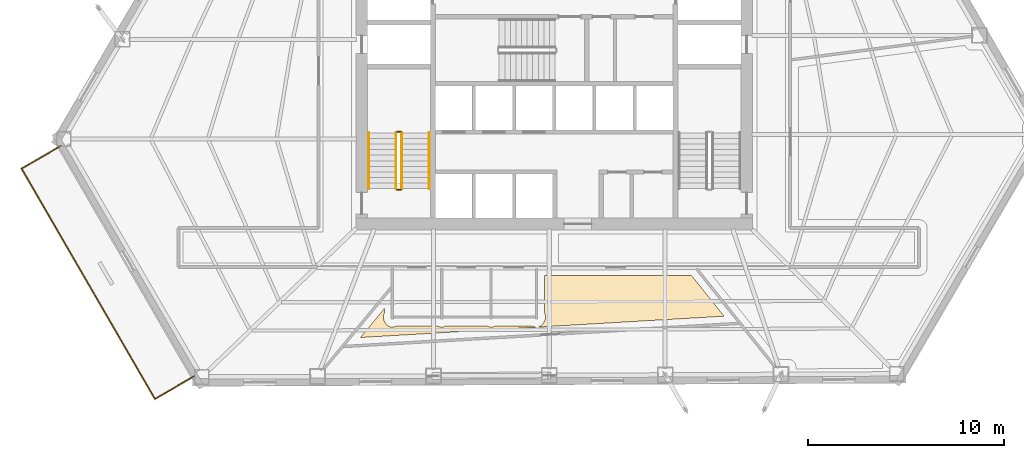
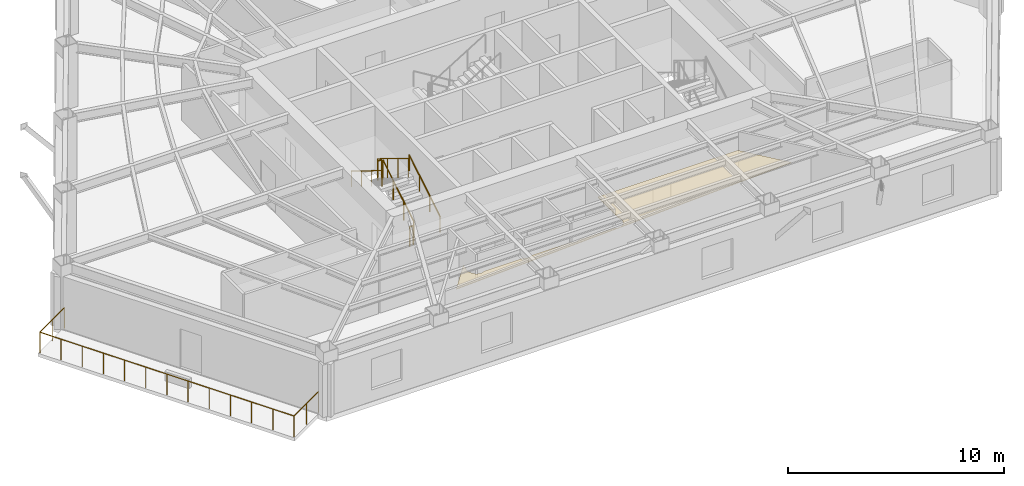
# One storey, part 12 of 15: 9 railings, 1 covering.
"""IFC4 building model written with IfcOpenShell, lengths in metres."""

import ifcopenshell
import ifcopenshell.guid

model = None  # the IFC model being written
_history = None  # IfcOwnerHistory: only IFC2X3 demands one
_inside = {}  # id of a spatial element -> (the spatial element, [elements in it])
_under = {}  # id of a project, library or spatial element -> (it, [spatial elements below it])
_declared = {}  # id of a project -> (the project, [libraries it declares])
_typed = {}  # id of a type object -> (the type object, [elements of that type])
_made_of = {}  # id of a material, layer set ... -> (it, [elements and type objects made of it])


def new_model(schema):
    """Start an empty IFC model of exactly this schema.

    Asked for "IFC4X3", IfcOpenShell would pick the latest addendum, in which some entities
    have other attributes; the version numbers below select the first issue.
    IFC2X3 requires an IfcOwnerHistory on every rooted entity: one is made here for all.
    """
    global model, _history
    if schema == "IFC4X3":
        model = ifcopenshell.file(schema_version=(4, 3, 0, 0))
    else:
        model = ifcopenshell.file(schema=schema)
    _inside.clear()
    _under.clear()
    _declared.clear()
    _typed.clear()
    _made_of.clear()
    _history = None
    if model.schema == "IFC2X3":
        org = make("IfcOrganization", Name="unknown")
        user = make(
            "IfcPersonAndOrganization",
            ThePerson=make("IfcPerson", FamilyName="unknown"),
            TheOrganization=org,
        )
        app = make(
            "IfcApplication",
            ApplicationDeveloper=org,
            Version="unknown",
            ApplicationFullName="unknown",
            ApplicationIdentifier="unknown",
        )
        _history = make(
            "IfcOwnerHistory",
            OwningUser=user,
            OwningApplication=app,
            ChangeAction="ADDED",
            CreationDate=0,
        )
    return model


def make(cls, **values):
    """One entity of the class cls with the attributes given. An attribute that is None is left unset."""
    return model.create_entity(
        cls, **{name: value for name, value in values.items() if value is not None}
    )


def rooted(cls, **values):
    """An entity with a GlobalId (a new one), such as an element, a storey or a relation."""
    return make(cls, GlobalId=ifcopenshell.guid.new(), OwnerHistory=_history, **values)


def si_unit(unit_type, name, prefix=None):
    """IfcSIUnit, for example si_unit("LENGTHUNIT", "METRE", prefix="MILLI")."""
    return make("IfcSIUnit", UnitType=unit_type, Prefix=prefix, Name=name)


def assignment(units):
    """IfcUnitAssignment: the units of a project."""
    return None if units is None else make("IfcUnitAssignment", Units=units)


def point(xyz):
    """IfcCartesianPoint."""
    return None if xyz is None else make("IfcCartesianPoint", Coordinates=xyz)


def direction(xyz):
    """IfcDirection."""
    return None if xyz is None else make("IfcDirection", DirectionRatios=xyz)


def frame(location, z_axis=None, x_axis=None):
    """IfcAxis2Placement3D, a coordinate frame: its origin and axes. An axis left out is left unset."""
    return make(
        "IfcAxis2Placement3D",
        Location=point(location),
        Axis=direction(z_axis),
        RefDirection=direction(x_axis),
    )


def frame_2d(location, x_axis=None):
    """IfcAxis2Placement2D, a coordinate frame in the plane: its origin and x axis."""
    return make(
        "IfcAxis2Placement2D", Location=point(location), RefDirection=direction(x_axis)
    )


def origin():
    """The frame at (0, 0, 0) with its axes left unset."""
    return frame((0.0, 0.0, 0.0))


def origin_2d():
    """The frame at (0, 0) in the plane with its x axis left unset."""
    return frame_2d((0.0, 0.0))


def place(relative_to, where):
    """IfcLocalPlacement: puts the frame where relative to a parent placement (None: the world)."""
    return make(
        "IfcLocalPlacement", PlacementRelTo=relative_to, RelativePlacement=where
    )


def context(
    kind, dimensions, precision=None, world=None, true_north=None, identifier=None
):
    """IfcGeometricRepresentationContext, for example the 3D "Model" context."""
    return make(
        "IfcGeometricRepresentationContext",
        ContextIdentifier=identifier,
        ContextType=kind,
        CoordinateSpaceDimension=dimensions,
        Precision=precision,
        WorldCoordinateSystem=world,
        TrueNorth=true_north,
    )


def subcontext(parent, identifier, kind, view, scale=None):
    """IfcGeometricRepresentationSubContext, for example "Body" below "Model"."""
    return make(
        "IfcGeometricRepresentationSubContext",
        ContextIdentifier=identifier,
        ContextType=kind,
        ParentContext=parent,
        TargetScale=scale,
        TargetView=view,
    )


def project(units=None, contexts=None):
    """IfcProject with its units and contexts."""
    return rooted(
        "IfcProject",
        Name="project",
        RepresentationContexts=contexts,
        UnitsInContext=assignment(units),
    )


def spatial(cls, under=None, at=None, **own):
    """A site, building, storey or space (cls), placed at a placement, below another one or the project."""
    s = rooted(cls, ObjectPlacement=at, **own)
    if under is not None:
        _under.setdefault(under.id(), (under, []))[1].append(s)
    return s


def polyline(points):
    """IfcPolyline through the points."""
    return make("IfcPolyline", Points=[point(p) for p in points])


def profile(cls, at=None, kind="AREA", **sizes):
    """A parametric profile (cls). Its sizes go by their IFC names, for example OverallWidth=200.0."""
    return make(cls, ProfileType=kind, Position=at, **sizes)


def circle(**sizes):
    """IfcCircleProfileDef."""
    return profile("IfcCircleProfileDef", **sizes)


def outline(outer, holes=None, kind="AREA"):
    """IfcArbitraryClosedProfileDef: a profile drawn as a closed curve; with holes, ...WithVoids."""
    if holes is None:
        return make("IfcArbitraryClosedProfileDef", ProfileType=kind, OuterCurve=outer)
    return make(
        "IfcArbitraryProfileDefWithVoids",
        ProfileType=kind,
        OuterCurve=outer,
        InnerCurves=holes,
    )


def extrude(swept, where, along, depth):
    """IfcExtrudedAreaSolid: the profile swept, set in the frame where, extruded along a direction by depth."""
    return make(
        "IfcExtrudedAreaSolid",
        SweptArea=swept,
        Position=where,
        ExtrudedDirection=direction(along),
        Depth=depth,
    )


def shape(context_of_items, identifier, shape_type, items):
    """IfcShapeRepresentation: the items that make up one representation, for example the "Body"."""
    return make(
        "IfcShapeRepresentation",
        ContextOfItems=context_of_items,
        RepresentationIdentifier=identifier,
        RepresentationType=shape_type,
        Items=items,
    )


def material(Name=None, Category=None):
    """IfcMaterial."""
    return make("IfcMaterial", Name=Name, Category=Category)


def layer(
    of_material, thickness, ventilated=None, Name=None, Category=None, Priority=None
):
    """IfcMaterialLayer: one layer of a wall or slab, of a material (None: an air gap)."""
    return make(
        "IfcMaterialLayer",
        Material=of_material,
        LayerThickness=thickness,
        IsVentilated=ventilated,
        Name=Name,
        Category=Category,
        Priority=Priority,
    )


def layer_set(layers, Name=None):
    """IfcMaterialLayerSet."""
    return make("IfcMaterialLayerSet", MaterialLayers=layers, LayerSetName=Name)


def made_of(thing, what):
    """Note that an element or type object is made of a material, layer set ...; save() writes the relation."""
    if what is not None:
        _made_of.setdefault(what.id(), (what, []))[1].append(thing)
    return thing


def type_object(cls, material=None, **own):
    """A type object (cls), such as IfcWallType, which elements share."""
    return made_of(rooted(cls, **own), material)


def element(
    cls,
    number,
    at=None,
    inside=None,
    cuts=None,
    type_object=None,
    material=None,
    context=None,
    identifier="Body",
    shape_type=None,
    held_by="IfcProductDefinitionShape",
    body=None,
    shapes=None,
    **own,
):
    """One element of the class cls, such as IfcWall. Its Tag is "e" and its number.

    at: its placement. inside: the storey or other place that contains it. cuts: it is an
    opening in that element (IfcRelVoidsElement). A single representation is given by context,
    identifier, shape_type and body (its items); several are given by shapes. held_by: the class
    of the entity that holds the representations. save() writes the other relations.
    """
    e = rooted(cls, Tag="e%d" % number, ObjectPlacement=at, **own)
    if body is not None:
        shapes = [shape(context, identifier, shape_type, body)]
    if shapes is not None:
        e.Representation = make(held_by, Representations=shapes)
    if inside is not None:
        _inside.setdefault(inside.id(), (inside, []))[1].append(e)
    if cuts is not None:
        rooted(
            "IfcRelVoidsElement", RelatingBuildingElement=cuts, RelatedOpeningElement=e
        )
    if type_object is not None:
        _typed.setdefault(type_object.id(), (type_object, []))[1].append(e)
    return made_of(e, material)


def aggregate(whole, parts):
    """IfcRelAggregates: a whole, such as a stair, and the parts it consists of."""
    return rooted("IfcRelAggregates", RelatingObject=whole, RelatedObjects=parts)


def save(model, path):
    """Write the relations noted so far, then the file.

    IfcRelAggregates (storeys below a building ...), IfcRelContainedInSpatialStructure (elements
    in a storey), IfcRelDefinesByType, IfcRelAssociatesMaterial and IfcRelDeclares: one each for
    every whole, place, type object, material and project.
    """
    for whole, parts in _under.values():
        aggregate(whole, parts)
    for where, things in _inside.values():
        rooted(
            "IfcRelContainedInSpatialStructure",
            RelatedElements=things,
            RelatingStructure=where,
        )
    for kind, things in _typed.values():
        rooted("IfcRelDefinesByType", RelatedObjects=things, RelatingType=kind)
    for what, things in _made_of.values():
        rooted("IfcRelAssociatesMaterial", RelatedObjects=things, RelatingMaterial=what)
    for by, libraries in _declared.values():
        rooted("IfcRelDeclares", RelatingContext=by, RelatedDefinitions=libraries)
    model.write(path)


model = new_model("IFC4")

# Units and contexts
model_context = context("Model", 3, precision=1e-05, world=origin(), true_north=direction((0.0, 1.0)))
body_context = subcontext(model_context, "Body", "Model", "MODEL_VIEW")
ifc_project = project(units=[si_unit("LENGTHUNIT", "METRE"), si_unit("AREAUNIT", "SQUARE_METRE"), si_unit("VOLUMEUNIT", "CUBIC_METRE"), si_unit("PLANEANGLEUNIT", "RADIAN"), si_unit("MASSUNIT", "GRAM", prefix="KILO")], contexts=[model_context])

# Site, building, storey
site_placement = place(None, origin())
site = spatial("IfcSite", under=ifc_project, at=site_placement, CompositionType="ELEMENT")
building_placement = place(site_placement, origin())
building = spatial("IfcBuilding", under=site, at=building_placement, Name="Kavelnor Concourse Tower", CompositionType="ELEMENT")
storey_placement = place(building_placement, frame((0.0, 0.0, 67.60009765625)))
storey = spatial("IfcBuildingStorey", under=building, at=storey_placement, Name="L17", CompositionType="ELEMENT", Elevation=67.60009765625)

# Covering
ifc_material_1 = material(Name="Mineral fibre acoustic ceiling tile")
ifc_layer = layer(ifc_material_1, 0.0400390625, Name="Mineral fibre acoustic ceiling tile")
ifc_layer_set = layer_set([ifc_layer], Name="Mineral fibre acoustic ceiling tile")
covering_type = type_object("IfcCoveringType", Name="COV-CEILING-ACOUSTIC", PredefinedType="CEILING", material=ifc_layer_set)
covering_placement = place(storey_placement, frame((0.0, 0.0, 2.75)))
element("IfcCovering", 1, at=covering_placement, inside=storey, type_object=covering_type, Name="L17 Suspended Acoustic Ceiling", PredefinedType="CEILING", context=body_context, shape_type="SweptSolid", body=[
    extrude(outline(polyline([(29.33251953125, 4.7412109375), (29.3154296875, 4.705078125), (29.302001953125, 4.667724609375), (29.29248046875, 4.629150390625), (29.28662109375, 4.589599609375), (29.28466796875, 4.550048828125), (29.28662109375, 4.51025390625), (29.29248046875, 4.470947265625), (29.302001953125, 4.432373046875), (29.3154296875, 4.39501953125), (29.33251953125, 4.35888671875), (29.352783203125, 4.32470703125), (29.3564453125, 4.320068359375), (29.365478515625, 4.294921875), (29.382568359375, 4.2587890625), (29.40283203125, 4.224853515625), (29.426513671875, 4.19287109375), (29.453369140625, 4.163330078125), (29.48291015625, 4.13671875), (29.514892578125, 4.11279296875), (29.548828125, 4.092529296875), (29.5849609375, 4.075439453125), (29.622314453125, 4.06201171875), (29.660888671875, 4.052490234375), (29.7001953125, 4.04638671875), (29.739990234375, 4.044677734375), (29.77978515625, 4.04638671875), (29.819091796875, 4.052490234375), (29.857666015625, 4.06201171875), (29.89501953125, 4.075439453125), (29.93115234375, 4.092529296875), (29.96044921875, 4.110107421875), (32.03955078125, 4.110107421875), (32.06884765625, 4.092529296875), (32.10498046875, 4.075439453125), (32.142333984375, 4.06201171875), (32.180908203125, 4.052490234375), (32.22021484375, 4.04638671875), (32.260009765625, 4.044677734375), (32.2998046875, 4.04638671875), (32.339111328125, 4.052490234375), (32.377685546875, 4.06201171875), (32.4150390625, 4.075439453125), (32.451171875, 4.092529296875), (32.48046875, 4.110107421875), (34.5595703125, 4.110107421875), (34.5888671875, 4.092529296875), (34.625, 4.075439453125), (34.662353515625, 4.06201171875), (34.700927734375, 4.052490234375), (34.740234375, 4.04638671875), (34.780029296875, 4.044677734375), (34.819580078125, 4.04638671875), (34.859130859375, 4.052490234375), (34.897705078125, 4.06201171875), (34.93505859375, 4.075439453125), (34.97119140625, 4.092529296875), (35.00048828125, 4.110107421875), (36.879638671875, 4.110107421875), (36.908935546875, 4.092529296875), (36.94482421875, 4.075439453125), (36.982421875, 4.06201171875), (37.02099609375, 4.052490234375), (37.060302734375, 4.04638671875), (37.10009765625, 4.044677734375), (37.1396484375, 4.04638671875), (37.17919921875, 4.052490234375), (37.2177734375, 4.06201171875), (37.255126953125, 4.075439453125), (37.291015625, 4.092529296875), (37.3251953125, 4.11279296875), (37.357177734375, 4.13671875), (37.38671875, 4.163330078125), (37.413330078125, 4.19287109375), (37.43701171875, 4.224853515625), (37.45751953125, 4.2587890625), (37.474609375, 4.294921875), (37.4833984375, 4.320068359375), (37.487060546875, 4.32470703125), (37.507568359375, 4.35888671875), (37.524658203125, 4.39501953125), (37.5380859375, 4.432373046875), (37.547607421875, 4.470947265625), (37.553466796875, 4.51025390625), (37.555419921875, 4.550048828125), (37.553466796875, 4.589599609375), (37.547607421875, 4.629150390625), (37.5380859375, 4.667724609375), (37.524658203125, 4.705078125), (37.507568359375, 4.7412109375), (37.5048828125, 4.745361328125), (37.5048828125, 6.677490234375), (44.99609375, 6.677490234375), (46.657470703125, 4.59765625), (28.115234375, 3.51220703125), (29.3349609375, 4.985107421875), (29.3349609375, 4.745361328125), (29.33251953125, 4.7412109375)])), origin(), (0.0, 0.0, 1.0), 0.039794921875),
])

# Railings
ifc_material_2 = material(Name="Steel Grade 350", Category="steel")
railing_type_1 = type_object("IfcRailingType", Name="RLG-GUARD-1100", PredefinedType="GUARDRAIL", material=ifc_material_2)
railing_1_placement = place(storey_placement, frame((30.22998046875, 11.10009765625, 0.1748046875)))
element("IfcRailing", 2, at=railing_1_placement, inside=storey, type_object=railing_type_1, Name="L17 ST1 stair guard 1", PredefinedType="GUARDRAIL", context=body_context, shape_type="SweptSolid", body=[
    extrude(circle(Radius=0.02392578125, at=origin_2d()), frame((0.0, 0.0, 1.076171875), z_axis=(0.0, 0.852159232446, 0.523282564737), x_axis=(-1.0, 0.0, 0.0)), (0.0, 0.0, 1.0), 3.34423828125),
    extrude(circle(Radius=0.02099609375, at=origin_2d()), origin(), (0.0, 0.0, 1.0), 1.052001953125),
    extrude(circle(Radius=0.02099609375, at=origin_2d()), frame((0.0, 0.949951171875, 0.583251953125)), (0.0, 0.0, 1.0), 1.052001953125),
    extrude(circle(Radius=0.02099609375, at=origin_2d()), frame((0.0, 1.89990234375, 1.166748046875)), (0.0, 0.0, 1.0), 1.052001953125),
    extrude(circle(Radius=0.02099609375, at=origin_2d()), frame((0.0, 2.849853515625, 1.75)), (0.0, 0.0, 1.0), 1.052001953125),
])
railing_2_placement = place(storey_placement, frame((30.179931640625, 14.0, 1.9248046875)))
element("IfcRailing", 3, at=railing_2_placement, inside=storey, type_object=railing_type_1, Name="L17 ST1 stair guard 2", PredefinedType="GUARDRAIL", context=body_context, shape_type="SweptSolid", body=[
    extrude(circle(Radius=0.02392578125, at=origin_2d()), frame((0.0, 0.0, 1.076171875), z_axis=(-1.0, 0.0, 0.0), x_axis=(0.0, -1.0, 0.0)), (0.0, 0.0, 1.0), 0.199951171875),
    extrude(circle(Radius=0.02099609375, at=origin_2d()), origin(), (0.0, 0.0, 1.0), 1.052001953125),
    extrude(circle(Radius=0.02099609375, at=origin_2d()), frame((-0.199951171875, 0.0, 0.0)), (0.0, 0.0, 1.0), 1.052001953125),
])
railing_3_placement = place(storey_placement, frame((29.929931640625, 13.949951171875, 2.099853515625)))
element("IfcRailing", 4, at=railing_3_placement, inside=storey, type_object=railing_type_1, Name="L17 ST1 stair guard 3", PredefinedType="GUARDRAIL", context=body_context, shape_type="SweptSolid", body=[
    extrude(circle(Radius=0.02392578125, at=origin_2d()), frame((0.0, 0.0, 1.076171875), z_axis=(0.0, -0.852159232446, 0.523282564737), x_axis=(1.0, 0.0, 0.0)), (0.0, 0.0, 1.0), 3.34423828125),
    extrude(circle(Radius=0.02099609375, at=origin_2d()), origin(), (0.0, 0.0, 1.0), 1.052001953125),
    extrude(circle(Radius=0.02099609375, at=origin_2d()), frame((0.0, -0.949951171875, 0.583251953125)), (0.0, 0.0, 1.0), 1.052001953125),
    extrude(circle(Radius=0.02099609375, at=origin_2d()), frame((0.0, -1.89990234375, 1.166748046875)), (0.0, 0.0, 1.0), 1.052001953125),
    extrude(circle(Radius=0.02099609375, at=origin_2d()), frame((0.0, -2.849853515625, 1.75)), (0.0, 0.0, 1.0), 1.052001953125),
])
railing_4_placement = place(storey_placement, frame((30.179931640625, 11.050048828125, 0.0)))
element("IfcRailing", 5, at=railing_4_placement, inside=storey, type_object=railing_type_1, Name="L17 ST1 stair guard 4", PredefinedType="GUARDRAIL", context=body_context, shape_type="SweptSolid", body=[
    extrude(circle(Radius=0.02392578125, at=origin_2d()), frame((0.0, 0.0, 1.076171875), z_axis=(-1.0, 0.0, 0.0), x_axis=(0.0, -1.0, 0.0)), (0.0, 0.0, 1.0), 0.199951171875),
    extrude(circle(Radius=0.02099609375, at=origin_2d()), origin(), (0.0, 0.0, 1.0), 1.052001953125),
    extrude(circle(Radius=0.02099609375, at=origin_2d()), frame((-0.199951171875, 0.0, 0.0)), (0.0, 0.0, 1.0), 1.052001953125),
])
railing_type_2 = type_object("IfcRailingType", Name="RLG-HANDRAIL-900", PredefinedType="HANDRAIL", material=ifc_material_2)
railing_5_placement = place(storey_placement, frame((31.6298828125, 11.10009765625, 0.1748046875)))
element("IfcRailing", 6, at=railing_5_placement, inside=storey, type_object=railing_type_2, Name="L17 ST1 stair handrail 1", PredefinedType="HANDRAIL", context=body_context, shape_type="SweptSolid", body=[
    extrude(circle(Radius=0.02392578125, at=origin_2d()), frame((0.0, 0.0, 0.8759765625), z_axis=(0.0, 0.852159232446, 0.523282564737), x_axis=(-1.0, 0.0, 0.0)), (0.0, 0.0, 1.0), 3.34423828125),
    extrude(circle(Radius=0.02099609375, at=origin_2d()), origin(), (0.0, 0.0, 1.0), 0.851806640625),
    extrude(circle(Radius=0.02099609375, at=origin_2d()), frame((0.0, 0.949951171875, 0.583251953125)), (0.0, 0.0, 1.0), 0.851806640625),
    extrude(circle(Radius=0.02099609375, at=origin_2d()), frame((0.0, 1.89990234375, 1.166748046875)), (0.0, 0.0, 1.0), 0.851806640625),
    extrude(circle(Radius=0.02099609375, at=origin_2d()), frame((0.0, 2.849853515625, 1.75)), (0.0, 0.0, 1.0), 0.851806640625),
])
railing_6_placement = place(storey_placement, frame((28.530029296875, 13.949951171875, 2.099853515625)))
element("IfcRailing", 7, at=railing_6_placement, inside=storey, type_object=railing_type_2, Name="L17 ST1 stair handrail 2", PredefinedType="HANDRAIL", context=body_context, shape_type="SweptSolid", body=[
    extrude(circle(Radius=0.02392578125, at=origin_2d()), frame((0.0, 0.0, 0.8759765625), z_axis=(0.0, -0.852159232446, 0.523282564737), x_axis=(1.0, 0.0, 0.0)), (0.0, 0.0, 1.0), 3.34423828125),
    extrude(circle(Radius=0.02099609375, at=origin_2d()), origin(), (0.0, 0.0, 1.0), 0.851806640625),
    extrude(circle(Radius=0.02099609375, at=origin_2d()), frame((0.0, -0.949951171875, 0.583251953125)), (0.0, 0.0, 1.0), 0.851806640625),
    extrude(circle(Radius=0.02099609375, at=origin_2d()), frame((0.0, -1.89990234375, 1.166748046875)), (0.0, 0.0, 1.0), 0.851806640625),
    extrude(circle(Radius=0.02099609375, at=origin_2d()), frame((0.0, -2.849853515625, 1.75)), (0.0, 0.0, 1.0), 0.851806640625),
])
ifc_material_3 = material(Name="Architectural bronze-anodised aluminium", Category="aluminium")
railing_type_3 = type_object("IfcRailingType", Name="RLG-TERRACE-1200", PredefinedType="BALUSTRADE", material=ifc_material_3)
railing_7_placement = place(storey_placement, frame((12.826904296875, 13.274658203125, 0.0)))
element("IfcRailing", 8, at=railing_7_placement, inside=storey, type_object=railing_type_3, Name="L17 Spiral Terrace Guardrail L", PredefinedType="BALUSTRADE", context=body_context, shape_type="SweptSolid", body=[
    extrude(circle(Radius=0.02392578125, at=origin_2d()), frame((0.0, 0.0, 1.17578125), z_axis=(-0.865169371797, -0.501479768389, 0.0), x_axis=(0.501479768389, -0.865169371797, 0.0)), (0.0, 0.0, 1.0), 2.2998046875),
    extrude(circle(Radius=0.02099609375, at=origin_2d()), origin(), (0.0, 0.0, 1.0), 1.15185546875),
    extrude(circle(Radius=0.02099609375, at=origin_2d()), frame((-0.994873046875, -0.57666015625, 0.0)), (0.0, 0.0, 1.0), 1.15185546875),
    extrude(circle(Radius=0.02099609375, at=origin_2d()), frame((-1.98974609375, -1.1533203125, 0.0)), (0.0, 0.0, 1.0), 1.15185546875),
])
railing_8_placement = place(storey_placement, frame((10.837158203125, 12.121337890625, 0.0)))
element("IfcRailing", 9, at=railing_8_placement, inside=storey, type_object=railing_type_3, Name="L17 Spiral Terrace Guardrail F", PredefinedType="BALUSTRADE", context=body_context, shape_type="SweptSolid", body=[
    extrude(circle(Radius=0.02392578125, at=origin_2d()), frame((0.0, 0.0, 1.17578125), z_axis=(0.501428528219, -0.865199070208, 0.0), x_axis=(0.865199070208, 0.501428528219, 0.0)), (0.0, 0.0, 1.0), 13.565673828125),
    extrude(circle(Radius=0.02099609375, at=origin_2d()), origin(), (0.0, 0.0, 1.0), 1.15185546875),
    extrude(circle(Radius=0.02099609375, at=origin_2d()), frame((0.56689453125, -0.97802734375, 0.0)), (0.0, 0.0, 1.0), 1.15185546875),
    extrude(circle(Radius=0.02099609375, at=origin_2d()), frame((1.1337890625, -1.9560546875, 0.0)), (0.0, 0.0, 1.0), 1.15185546875),
    extrude(circle(Radius=0.02099609375, at=origin_2d()), frame((1.70068359375, -2.934326171875, 0.0)), (0.0, 0.0, 1.0), 1.15185546875),
    extrude(circle(Radius=0.02099609375, at=origin_2d()), frame((2.267333984375, -3.912353515625, 0.0)), (0.0, 0.0, 1.0), 1.15185546875),
    extrude(circle(Radius=0.02099609375, at=origin_2d()), frame((2.834228515625, -4.890380859375, 0.0)), (0.0, 0.0, 1.0), 1.15185546875),
    extrude(circle(Radius=0.02099609375, at=origin_2d()), frame((3.401123046875, -5.86865234375, 0.0)), (0.0, 0.0, 1.0), 1.15185546875),
    extrude(circle(Radius=0.02099609375, at=origin_2d()), frame((3.968017578125, -6.8466796875, 0.0)), (0.0, 0.0, 1.0), 1.15185546875),
    extrude(circle(Radius=0.02099609375, at=origin_2d()), frame((4.534912109375, -7.82470703125, 0.0)), (0.0, 0.0, 1.0), 1.15185546875),
    extrude(circle(Radius=0.02099609375, at=origin_2d()), frame((5.1015625, -8.802734375, 0.0)), (0.0, 0.0, 1.0), 1.15185546875),
    extrude(circle(Radius=0.02099609375, at=origin_2d()), frame((5.66845703125, -9.78076171875, 0.0)), (0.0, 0.0, 1.0), 1.15185546875),
    extrude(circle(Radius=0.02099609375, at=origin_2d()), frame((6.2353515625, -10.759033203125, 0.0)), (0.0, 0.0, 1.0), 1.15185546875),
    extrude(circle(Radius=0.02099609375, at=origin_2d()), frame((6.80224609375, -11.737060546875, 0.0)), (0.0, 0.0, 1.0), 1.15185546875),
])
railing_9_placement = place(storey_placement, frame((17.639404296875, 0.38427734375, 0.0)))
element("IfcRailing", 10, at=railing_9_placement, inside=storey, type_object=railing_type_3, Name="L17 Spiral Terrace Guardrail R", PredefinedType="BALUSTRADE", context=body_context, shape_type="SweptSolid", body=[
    extrude(circle(Radius=0.02392578125, at=origin_2d()), frame((0.0, 0.0, 1.17578125), z_axis=(0.865196064376, 0.50143371465, 0.0), x_axis=(-0.50143371465, 0.865196064376, 0.0)), (0.0, 0.0, 1.0), 2.300048828125),
    extrude(circle(Radius=0.02099609375, at=origin_2d()), origin(), (0.0, 0.0, 1.0), 1.15185546875),
    extrude(circle(Radius=0.02099609375, at=origin_2d()), frame((0.9951171875, 0.57666015625, 0.0)), (0.0, 0.0, 1.0), 1.15185546875),
    extrude(circle(Radius=0.02099609375, at=origin_2d()), frame((1.989990234375, 1.1533203125, 0.0)), (0.0, 0.0, 1.0), 1.15185546875),
])

save(model, "model.ifc")
